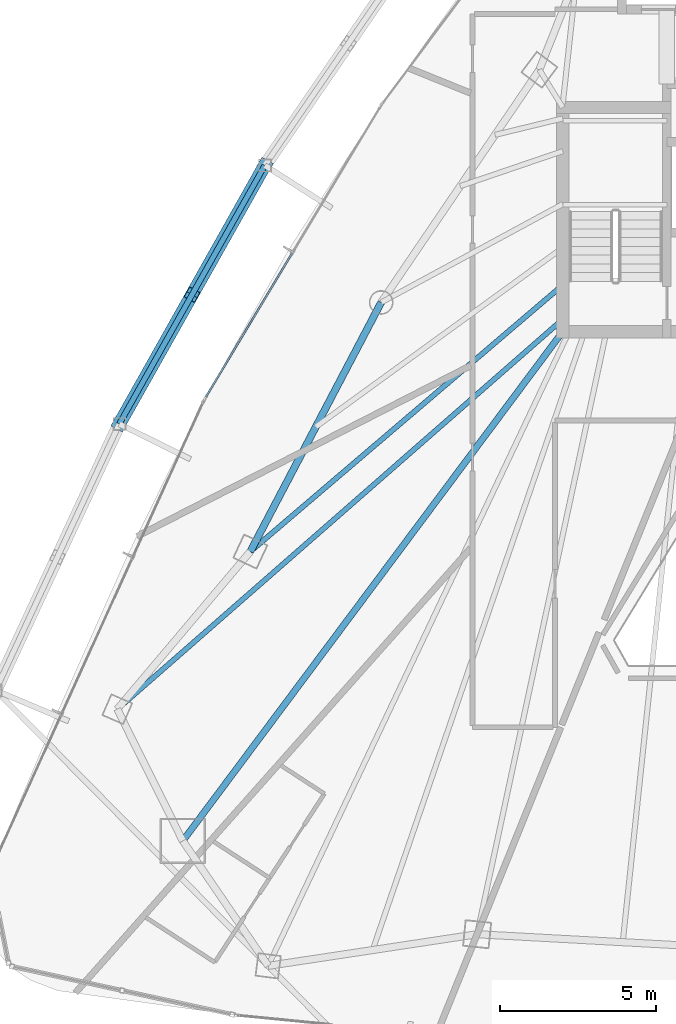
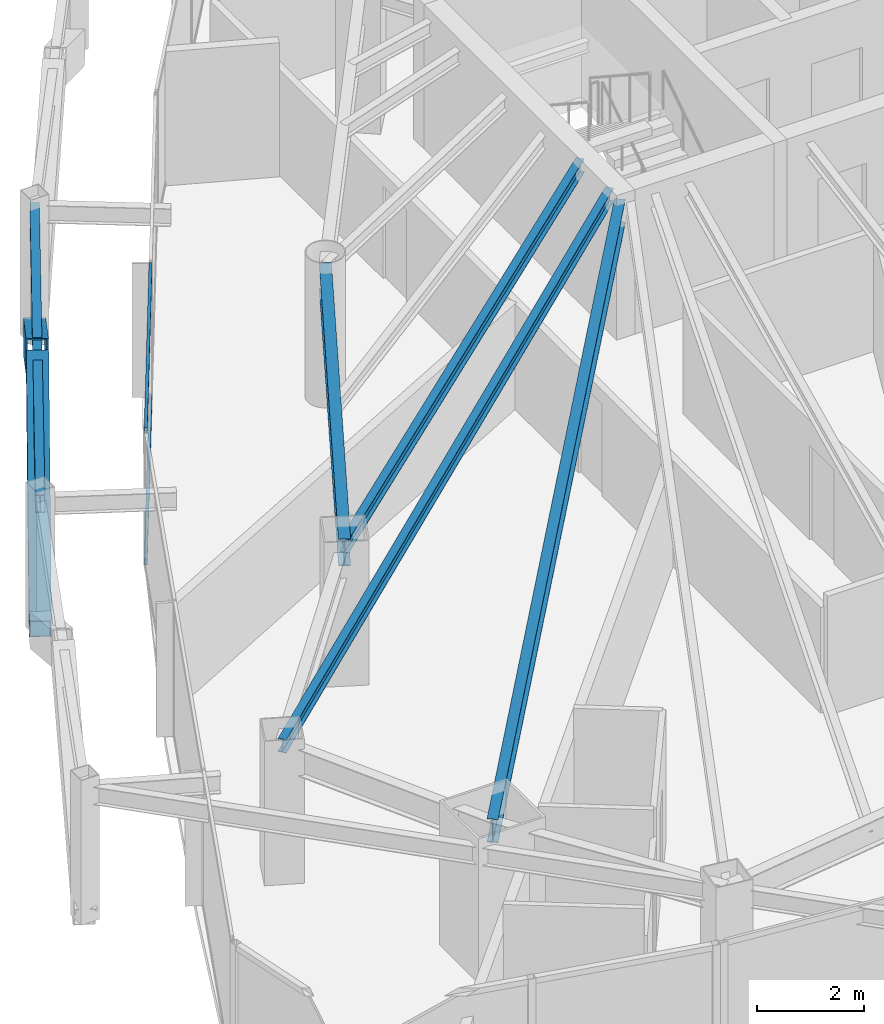
# One storey, part 11 of 31: 5 beams, 4 members, 1 element without a shape of its own.
"""IFC4 building model written with IfcOpenShell, lengths in metres."""

from ifc_helpers import new_model, si_unit, direction, frame, origin, origin_2d, place, context, subcontext, project, spatial, hollow_rectangle, i_section, extrude, material, layer, layer_set, material_profile, profile_set, type_object, element, aggregate, save


model = new_model("IFC4")

# Units and contexts
model_context = context("Model", 3, precision=1e-05, world=origin(), true_north=direction((0.0, 1.0)))
body_context = subcontext(model_context, "Body", "Model", "MODEL_VIEW")
ifc_project = project(units=[si_unit("LENGTHUNIT", "METRE"), si_unit("AREAUNIT", "SQUARE_METRE"), si_unit("VOLUMEUNIT", "CUBIC_METRE"), si_unit("PLANEANGLEUNIT", "RADIAN"), si_unit("MASSUNIT", "GRAM", prefix="KILO")], contexts=[model_context])

# Site, building, storey
site_placement = place(None, origin())
site = spatial("IfcSite", under=ifc_project, at=site_placement, CompositionType="ELEMENT")
building_placement = place(site_placement, origin())
building = spatial("IfcBuilding", under=site, at=building_placement, Name="Orvanel Arch Residences", CompositionType="ELEMENT")
storey_placement = place(building_placement, frame((0.0, 0.0, 150.64990234375)))
storey = spatial("IfcBuildingStorey", under=building, at=storey_placement, Name="L42", CompositionType="ELEMENT", Elevation=150.64990234375)

# Beams
ifc_material_1 = material(Name="Structural steel AS/NZS 3679.1 Grade 300 (300 MPa)", Category="steel")
ifc_material_profile_1 = material_profile(ifc_material_1, i_section(OverallWidth=0.208984375, OverallDepth=0.532958984375, WebThickness=0.01025390625, FlangeThickness=0.015625, at=origin_2d()), Name="530UB92.4")
ifc_profile_set_1 = profile_set([ifc_material_profile_1], Name="Structural steel AS/NZS 3679.1 Grade 300 (300 MPa)")
beam_type_1 = type_object("IfcBeamType", Name="BG-530UB", PredefinedType="BEAM", material=ifc_profile_set_1)
beam_1_placement = place(storey_placement, frame((26.375, 26.675048828125, 2.794189453125), z_axis=(-0.597893733742, -0.801575375839, 0.0), x_axis=(0.801575375839, -0.597893733742, 0.0)))
element("IfcBeam", 1, at=beam_1_placement, inside=storey, type_object=beam_type_1, Name="L42 South-West Radial Girder", PredefinedType="BEAM", context=body_context, shape_type="SweptSolid", body=[
    extrude(i_section(OverallWidth=0.208984375, OverallDepth=0.532958984375, WebThickness=0.01025390625, FlangeThickness=0.015625, at=origin_2d()), origin(), (0.0, 0.0, 1.0), 20.36474609375),
])
ifc_material_profile_2 = material_profile(ifc_material_1, i_section(OverallWidth=0.1650390625, OverallDepth=0.303955078125, WebThickness=0.006103515625, FlangeThickness=0.01025390625, at=origin_2d()), Name="310UB40.4")
ifc_profile_set_2 = profile_set([ifc_material_profile_2], Name="Structural steel AS/NZS 3679.1 Grade 300 (300 MPa)")
beam_type_2 = type_object("IfcBeamType", Name="BJ-310UB", PredefinedType="JOIST", material=ifc_profile_set_2)
beam_2_placement = place(storey_placement, frame((26.39990234375, 28.199951171875, 2.908203125), z_axis=(-0.760821315761, -0.648961420644, 0.0), x_axis=(0.648961420644, -0.760821315761, 0.0)))
element("IfcBeam", 2, at=beam_2_placement, inside=storey, type_object=beam_type_2, Name="L42 W Wing Floor Joist", PredefinedType="JOIST", context=body_context, shape_type="SweptSolid", body=[
    extrude(i_section(OverallWidth=0.1650390625, OverallDepth=0.303955078125, WebThickness=0.006103515625, FlangeThickness=0.01025390625, at=origin_2d()), origin(), (0.0, 0.0, 1.0), 13.18701171875),
])
beam_3_placement = place(storey_placement, frame((26.39990234375, 27.10009765625, 2.908203125), z_axis=(-0.752493154183, -0.658600070534, 0.0), x_axis=(0.658600070534, -0.752493154183, 0.0)))
element("IfcBeam", 3, at=beam_3_placement, inside=storey, type_object=beam_type_2, Name="L42 MW Wing Floor Joist", PredefinedType="JOIST", context=body_context, shape_type="SweptSolid", body=[
    extrude(i_section(OverallWidth=0.1650390625, OverallDepth=0.303955078125, WebThickness=0.006103515625, FlangeThickness=0.01025390625, at=origin_2d()), origin(), (0.0, 0.0, 1.0), 19.010009765625),
])

# Members
ifc_material_2 = material(Name="Structural steel AS/NZS 3678 Grade 350", Category="steel")
ifc_material_profile_3 = material_profile(ifc_material_2, hollow_rectangle(XDim=0.419921875, YDim=0.719970703125, WallThickness=0.02490234375, at=origin_2d()), Name="RHS720x420x25")
ifc_profile_set_3 = profile_set([ifc_material_profile_3], Name="Structural steel AS/NZS 3678 Grade 350")
member_type_1 = type_object("IfcMemberType", Name="BR-720RHS-EXT", PredefinedType="BRACE", material=ifc_profile_set_3)
member_1_placement = place(storey_placement, frame((16.8330078125, 32.0419921875, 0.0), z_axis=(-0.420642040072, -0.7473735035, 0.514288946402), x_axis=(0.871453718099, -0.490477743849, 0.0)))
element("IfcMember", 4, at=member_1_placement, inside=storey, type_object=member_type_1, Name="L42 Exterior Sky-Garden V-Frame Chevron F1B2.1", PredefinedType="BRACE", context=body_context, shape_type="SweptSolid", body=[
    extrude(hollow_rectangle(XDim=0.419921875, YDim=0.719970703125, WallThickness=0.02490234375, at=origin_2d()), origin(), (0.0, 0.0, 1.0), 5.5556640625),
])
member_2_placement = place(storey_placement, frame((12.159912109375, 23.738037109375, 0.0), z_axis=(0.420547336309, 0.747395548257, 0.514334358535), x_axis=(-0.871507097874, 0.490382889542, 0.0)))
element("IfcMember", 5, at=member_2_placement, inside=storey, type_object=member_type_1, Name="L42 Exterior Sky-Garden V-Frame Chevron F1B2.2", PredefinedType="BRACE", context=body_context, shape_type="SweptSolid", body=[
    extrude(hollow_rectangle(XDim=0.419921875, YDim=0.719970703125, WallThickness=0.02490234375, at=origin_2d()), origin(), (0.0, 0.0, 1.0), 5.55517578125),
])

# Beams
ifc_material_profile_4 = material_profile(ifc_material_1, i_section(OverallWidth=0.177978515625, OverallDepth=0.406005859375, WebThickness=0.0078125, FlangeThickness=0.0126953125, at=origin_2d()), Name="410UB59.7")
ifc_profile_set_4 = profile_set([ifc_material_profile_4], Name="Structural steel AS/NZS 3679.1 Grade 300 (300 MPa)")
beam_type_3 = type_object("IfcBeamType", Name="OB-410UB-EXT", PredefinedType="SPANDREL", material=ifc_profile_set_4)
beam_4_placement = place(storey_placement, frame((16.8330078125, 32.0419921875, 2.857177734375), z_axis=(-0.490430320269, -0.871480407675, 0.0), x_axis=(0.871480407675, -0.490430320269, 0.0)))
element("IfcBeam", 6, at=beam_4_placement, inside=storey, type_object=beam_type_3, Name="L42 Outer Perimeter Floor Ring Beam 02", PredefinedType="SPANDREL", context=body_context, shape_type="SweptSolid", body=[
    extrude(i_section(OverallWidth=0.177978515625, OverallDepth=0.406005859375, WebThickness=0.0078125, FlangeThickness=0.0126953125, at=origin_2d()), origin(), (0.0, 0.0, 1.0), 9.528564453125),
])
ifc_material_profile_5 = material_profile(ifc_material_1, i_section(OverallWidth=0.22900390625, OverallDepth=0.612060546875, WebThickness=0.011962890625, FlangeThickness=0.01953125, at=origin_2d()), Name="610UB125")
ifc_profile_set_5 = profile_set([ifc_material_profile_5], Name="Structural steel AS/NZS 3679.1 Grade 300 (300 MPa)")
beam_type_4 = type_object("IfcBeamType", Name="SP-610UB", PredefinedType="SPANDREL", material=ifc_profile_set_5)
beam_5_placement = place(storey_placement, frame((20.569091796875, 27.64111328125, 2.754150390625), z_axis=(-0.465064762793, -0.885276660942, 0.0), x_axis=(0.885276660942, -0.465064762793, 0.0)))
element("IfcBeam", 7, at=beam_5_placement, inside=storey, type_object=beam_type_4, Name="L42 Perimeter Spandrel Beam 18", PredefinedType="SPANDREL", context=body_context, shape_type="SweptSolid", body=[
    extrude(i_section(OverallWidth=0.22900390625, OverallDepth=0.612060546875, WebThickness=0.011962890625, FlangeThickness=0.01953125, at=origin_2d()), origin(), (0.0, 0.0, 1.0), 9.03564453125),
])

# Curtain wall, members
ifc_material_3 = material(Name="Bronze-anodised aluminium AA6063-T6", Category="aluminium")
ifc_layer = layer(ifc_material_3, 0.179931640625)
ifc_layer_set = layer_set([ifc_layer], Name="Bronze-anodised aluminium AA6063-T6")
curtain_wall_type = type_object("IfcCurtainWallType", Name="CW3-MID-SYS", PredefinedType="NOTDEFINED", material=ifc_layer_set)
curtain_wall_placement = place(storey_placement, origin())
curtain_wall = element("IfcCurtainWall", 8, at=curtain_wall_placement, inside=storey, type_object=curtain_wall_type, Name="L42 CW3-MID-SYS Unitised Curtain Wall", PredefinedType="NOTDEFINED")
ifc_material_profile_6 = material_profile(ifc_material_3, hollow_rectangle(XDim=0.06005859375, YDim=0.135009765625, WallThickness=0.00390625, at=origin_2d()), Name="ALU135x60x4")
ifc_profile_set_6 = profile_set([ifc_material_profile_6], Name="Bronze-anodised aluminium AA6063-T6")
member_type_2 = type_object("IfcMemberType", Name="TRN-135x60", PredefinedType="USERDEFINED", material=ifc_profile_set_6)
member_3_placement = place(storey_placement, frame((17.712890625, 29.22705078125, 0.030029296875), z_axis=(-0.51440247566, -0.857548886673, 0.0), x_axis=(0.857548886673, -0.51440247566, 0.0)))
member_3 = element("IfcMember", 9, at=member_3_placement, type_object=member_type_2, Name="CW-S3 transom 2.1", ObjectType="TRANSOM", PredefinedType="USERDEFINED", context=body_context, shape_type="SweptSolid", body=[
    extrude(hollow_rectangle(XDim=0.06005859375, YDim=0.135009765625, WallThickness=0.00390625, at=origin_2d()), origin(), (0.0, 0.0, 1.0), 5.388671875),
])
member_4_placement = place(storey_placement, frame((17.712890625, 29.22705078125, 3.030029296875), z_axis=(-0.51440247566, -0.857548886673, 0.0), x_axis=(0.857548886673, -0.51440247566, 0.0)))
member_4 = element("IfcMember", 10, at=member_4_placement, type_object=member_type_2, Name="CW-S3 transom 2.2", ObjectType="TRANSOM", PredefinedType="USERDEFINED", context=body_context, shape_type="SweptSolid", body=[
    extrude(hollow_rectangle(XDim=0.06005859375, YDim=0.135009765625, WallThickness=0.00390625, at=origin_2d()), origin(), (0.0, 0.0, 1.0), 5.388671875),
])
aggregate(curtain_wall, [member_3, member_4])

save(model, "model.ifc")
